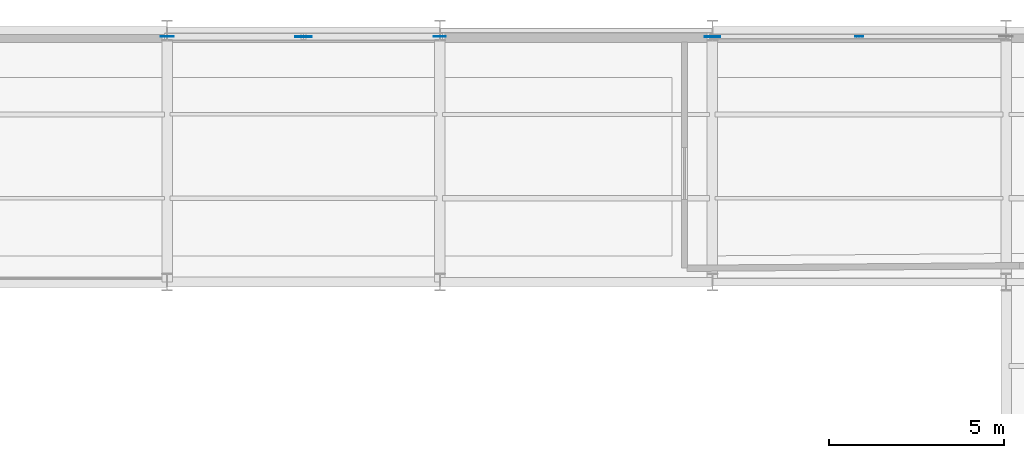
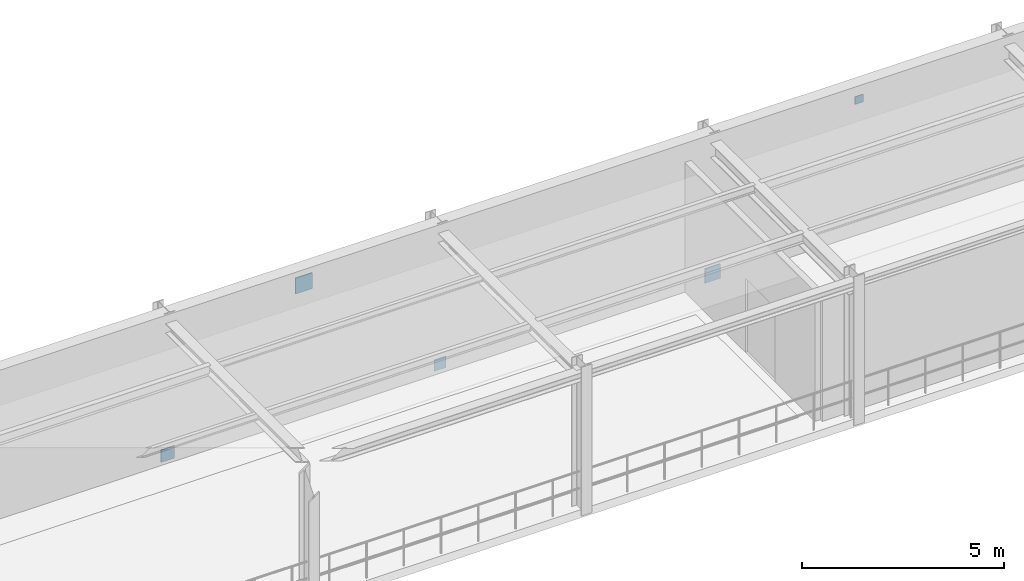
# One storey, part 80 of 106: 5 plates.
"""IFC4 building model written with IfcOpenShell, lengths in metres."""

from ifc_helpers import new_model, si_unit, derived_unit, direction, frame, origin, origin_2d, place, context, subcontext, project, spatial, rectangle, extrude, material, layer, layer_set, type_object, element, save


model = new_model("IFC4")

# Units and contexts
model_context = context("Model", 3, precision=1e-05, world=origin(), true_north=direction((0.0, 1.0)))
body_context = subcontext(model_context, "Body", "Model", "MODEL_VIEW")
ifc_project = project(units=[si_unit("LENGTHUNIT", "METRE"), si_unit("AREAUNIT", "SQUARE_METRE"), si_unit("VOLUMEUNIT", "CUBIC_METRE"), si_unit("PLANEANGLEUNIT", "RADIAN"), si_unit("MASSUNIT", "GRAM", prefix="KILO"), derived_unit("THERMALTRANSMITTANCEUNIT", [(si_unit("POWERUNIT", "WATT"), 1), (si_unit("AREAUNIT", "SQUARE_METRE"), -1), (si_unit("THERMODYNAMICTEMPERATUREUNIT", "KELVIN"), -1)])], contexts=[model_context])

# Site, building, storey
site_placement = place(None, origin())
site = spatial("IfcSite", under=ifc_project, at=site_placement, CompositionType="ELEMENT")
building_placement = place(site_placement, origin())
building = spatial("IfcBuilding", under=site, at=building_placement, Name="Yasenodar Specialist Clinic", CompositionType="ELEMENT")
storey_placement = place(building_placement, frame((0.0, 0.0, 4.5)))
storey = spatial("IfcBuildingStorey", under=building, at=storey_placement, Name="L01", CompositionType="ELEMENT", Elevation=4.5)

# Plates
ifc_material = material(Name="Steel S355", Category="steel")
ifc_layer_1 = layer(ifc_material, 0.02392578125)
ifc_layer_set_1 = layer_set([ifc_layer_1], Name="Steel S355")
plate_type_1 = type_object("IfcPlateType", Name="PL-STEEL-01", PredefinedType="SHEET", material=ifc_layer_set_1)
plate_1_placement = place(storey_placement, frame((96.60009765625, 111.425048828125, -0.070068359375), z_axis=(0.0, 0.0, 1.0), x_axis=(1.0, 0.0, 0.0)))
element("IfcPlate", 1, at=plate_1_placement, inside=storey, type_object=plate_type_1, Name="L01 Hollow Section End-Cap Plate 0034", PredefinedType="SHEET", context=body_context, shape_type="SweptSolid", body=[
    extrude(rectangle(XDim=0.43994140625, YDim=0.02392578125, at=origin_2d()), origin(), (0.0, 0.0, 1.0), 0.43994140625),
])
ifc_layer_2 = layer(ifc_material, 0.02197265625)
ifc_layer_set_2 = layer_set([ifc_layer_2], Name="Steel S355")
plate_type_2 = type_object("IfcPlateType", Name="PL-STEEL-02", PredefinedType="SHEET", material=ifc_layer_set_2)
plate_2_placement = place(storey_placement, frame((81.0, 111.425048828125, -0.0400390625), z_axis=(0.0, 0.0, 1.0), x_axis=(1.0, 0.0, 0.0)))
element("IfcPlate", 2, at=plate_2_placement, inside=storey, type_object=plate_type_2, Name="L01 Hollow Section End-Cap Plate 0013", PredefinedType="SHEET", context=body_context, shape_type="SweptSolid", body=[
    extrude(rectangle(XDim=0.3798828125, YDim=0.02197265625, at=origin_2d()), origin(), (0.0, 0.0, 1.0), 0.3798828125),
])
ifc_layer_3 = layer(ifc_material, 0.02001953125)
ifc_layer_set_3 = layer_set([ifc_layer_3], Name="Steel S355")
plate_type_3 = type_object("IfcPlateType", Name="PL-STEEL-03", PredefinedType="SHEET", material=ifc_layer_set_3)
plate_3_placement = place(storey_placement, frame((88.800048828125, 111.425048828125, -0.02001953125), z_axis=(0.0, 0.0, 1.0), x_axis=(1.0, 0.0, 0.0)))
element("IfcPlate", 3, at=plate_3_placement, inside=storey, type_object=plate_type_3, Name="L01 Hollow Section End-Cap Plate 0014", PredefinedType="SHEET", context=body_context, shape_type="SweptSolid", body=[
    extrude(rectangle(XDim=0.340087890625, YDim=0.02001953125, at=origin_2d()), origin(), (0.0, 0.0, 1.0), 0.340087890625),
])
ifc_layer_4 = layer(ifc_material, 0.01611328125)
ifc_layer_set_4 = layer_set([ifc_layer_4], Name="Steel S355")
plate_type_4 = type_object("IfcPlateType", Name="PL-STEEL-05", PredefinedType="USERDEFINED", material=ifc_layer_set_4)
plate_4_placement = place(storey_placement, frame((100.800048828125, 111.425048828125, 3.830078125), z_axis=(0.0, 0.0, 1.0), x_axis=(1.0, 0.0, 0.0)))
element("IfcPlate", 4, at=plate_4_placement, inside=storey, type_object=plate_type_4, Name="L01 Hollow Section End-Cap Plate 0036", ObjectType="CAP_PLATE", PredefinedType="USERDEFINED", context=body_context, shape_type="SweptSolid", body=[
    extrude(rectangle(XDim=0.239990234375, YDim=0.01611328125, at=origin_2d()), origin(), (0.0, 0.0, 1.0), 0.239990234375),
])
ifc_layer_5 = layer(ifc_material, 0.028076171875)
ifc_layer_set_5 = layer_set([ifc_layer_5], Name="Steel S355")
plate_type_5 = type_object("IfcPlateType", Name="PL-STEEL-06", PredefinedType="USERDEFINED", material=ifc_layer_set_5)
plate_5_placement = place(storey_placement, frame((84.89990234375, 111.425048828125, 3.7099609375), z_axis=(0.0, 0.0, 1.0), x_axis=(1.0, 0.0, 0.0)))
element("IfcPlate", 5, at=plate_5_placement, inside=storey, type_object=plate_type_5, Name="L01 Hollow Section End-Cap Plate 0015", ObjectType="CAP_PLATE", PredefinedType="USERDEFINED", context=body_context, shape_type="SweptSolid", body=[
    extrude(rectangle(XDim=0.47998046875, YDim=0.028076171875, at=origin_2d()), origin(), (0.0, 0.0, 1.0), 0.47998046875),
])

save(model, "model.ifc")
